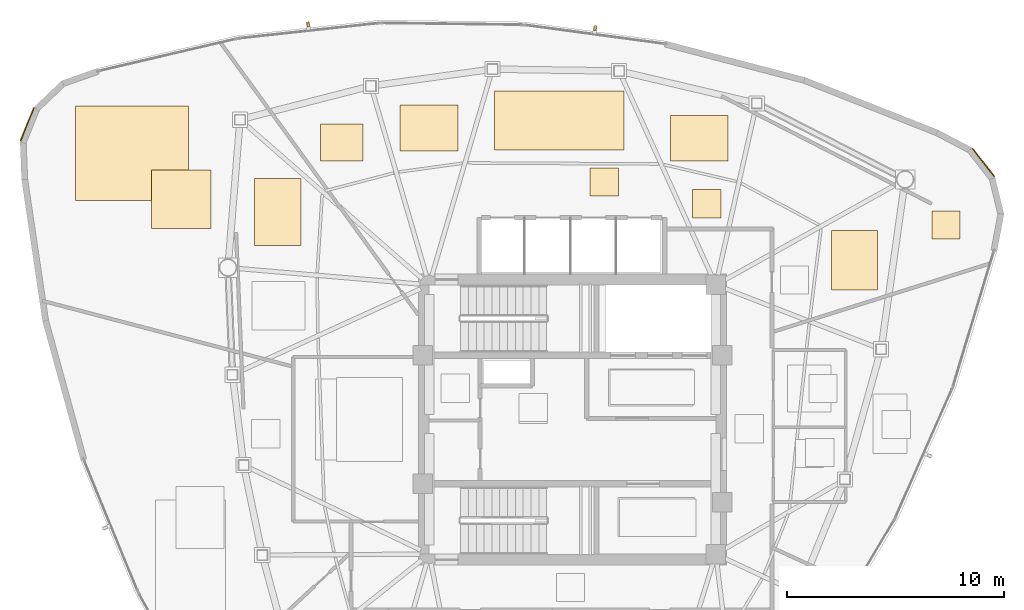
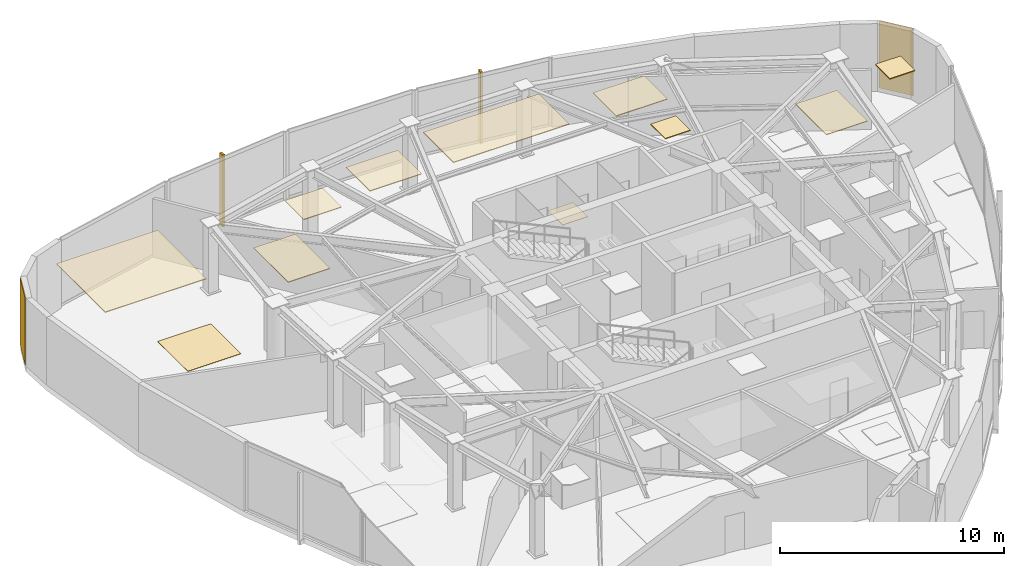
# One storey, part 12 of 12: 13 coverings, 2 shading devices.
"""IFC4 building model written with IfcOpenShell, lengths in metres."""

from ifc_helpers import new_model, si_unit, direction, frame, origin, origin_2d, place, context, subcontext, project, spatial, polyline, rectangle, outline, extrude, source, transform, mapped, material, layer, layer_set, type_object, type_shapes, element, save


model = new_model("IFC4")

# Units and contexts
model_context = context("Model", 3, precision=1e-05, world=origin(), true_north=direction((0.0, 1.0)))
body_context = subcontext(model_context, "Body", "Model", "MODEL_VIEW")
ifc_project = project(units=[si_unit("LENGTHUNIT", "METRE"), si_unit("AREAUNIT", "SQUARE_METRE"), si_unit("VOLUMEUNIT", "CUBIC_METRE"), si_unit("PLANEANGLEUNIT", "RADIAN"), si_unit("MASSUNIT", "GRAM", prefix="KILO")], contexts=[model_context])

# Site, building, storey
site_placement = place(None, origin())
site = spatial("IfcSite", under=ifc_project, at=site_placement, CompositionType="ELEMENT")
building_placement = place(site_placement, origin())
building = spatial("IfcBuilding", under=site, at=building_placement, Name="Tavelor Broadcast Tower", CompositionType="ELEMENT")
storey_placement = place(building_placement, frame((0.0, 0.0, 277.5)))
storey = spatial("IfcBuildingStorey", under=building, at=storey_placement, Name="L66", CompositionType="ELEMENT", Elevation=277.5)

# Coverings
ifc_material_1 = material(Name="Copper-Bronze Anodized Aluminium", Category="aluminium")
ifc_layer_1 = layer(ifc_material_1, 0.050048828125)
ifc_layer_set_1 = layer_set([ifc_layer_1], Name="Copper-Bronze Anodized Aluminium")
covering_type_1 = type_object("IfcCoveringType", Name="Champagne-Bronze Corner Pier Metal Cladding 50 mm", PredefinedType="CLADDING", material=ifc_layer_set_1)
for number, where, z_axis, x_axis, name in (
    (1, (24.88720703125, 58.593017578125, 0.02001953125), (0.0, 0.0, 1.0), (-0.375415571225, -0.92685659564, 0.0), "L66 Champagne-Bronze Corner Cladding 03"),
    (2, (68.92822265625, 56.834228515625, 0.02001953125), (0.0, 0.0, 1.0), (-0.614973571877, 0.788547719477, 0.0), "L66 Champagne-Bronze Corner Cladding 23"),
):
    element("IfcCovering", number, at=place(storey_placement, frame(where, z_axis=z_axis, x_axis=x_axis)), inside=storey, type_object=covering_type_1, Name=name, PredefinedType="CLADDING", context=body_context, shape_type="SweptSolid", body=[
        extrude(rectangle(XDim=1.63818359375, YDim=0.050048828125, at=origin_2d()), origin(), (0.0, 0.0, 1.0), 3.659912109375),
    ])
ifc_material_2 = material(Name="Acoustic Nylon Carpet Tile")
ifc_layer_2 = layer(ifc_material_2, 0.02001953125)
ifc_layer_set_2 = layer_set([ifc_layer_2], Name="Acoustic Nylon Carpet Tile")
covering_type_2 = type_object("IfcCoveringType", Name="Heavy-Duty Acoustic Broadcast Carpet Tile 20 mm", PredefinedType="FLOORING", material=ifc_layer_set_2)
covering_1_placement = place(storey_placement, origin())
element("IfcCovering", 3, at=covering_1_placement, inside=storey, type_object=covering_type_2, Name="L66 Broadcast Floor Finish 0992", PredefinedType="FLOORING", context=body_context, shape_type="SweptSolid", body=[
    extrude(outline(polyline([(30.617919921875, 53.803466796875), (33.360595703125, 53.803466796875), (33.360595703125, 56.49365234375), (30.617919921875, 56.49365234375), (30.617919921875, 53.803466796875)])), origin(), (0.0, 0.0, 1.0), 0.02001953125),
])
covering_2_placement = place(storey_placement, origin())
element("IfcCovering", 4, at=covering_2_placement, inside=storey, type_object=covering_type_2, Name="L66 Broadcast Floor Finish 0993", PredefinedType="FLOORING", context=body_context, shape_type="SweptSolid", body=[
    extrude(outline(polyline([(50.815185546875, 55.29248046875), (52.114990234375, 55.29248046875), (52.114990234375, 56.592529296875), (50.815185546875, 56.592529296875), (50.815185546875, 55.29248046875)])), origin(), (0.0, 0.0, 1.0), 0.02001953125),
])
ifc_material_3 = material(Name="Acoustic Mineral Fibre Tile")
ifc_layer_3 = layer(ifc_material_3, 0.0400390625)
ifc_layer_set_3 = layer_set([ifc_layer_3], Name="Acoustic Mineral Fibre Tile")
covering_type_3 = type_object("IfcCoveringType", Name="Suspended Acoustic Mineral-Fibre Office Ceiling 40 mm", PredefinedType="CEILING", material=ifc_layer_set_3)
covering_3_placement = place(storey_placement, frame((0.0, 0.0, 3.659912109375)))
element("IfcCovering", 5, at=covering_3_placement, inside=storey, type_object=covering_type_3, Name="L66 Suspended Acoustic Ceiling 2555", PredefinedType="CEILING", context=body_context, shape_type="SweptSolid", body=[
    extrude(outline(polyline([(27.10302734375, 55.089599609375), (32.322021484375, 55.089599609375), (32.322021484375, 59.447509765625), (27.10302734375, 59.447509765625), (27.10302734375, 55.089599609375)])), origin(), (0.0, 0.0, 1.0), 0.0400390625),
])
covering_4_placement = place(storey_placement, frame((0.0, 0.0, 3.659912109375)))
element("IfcCovering", 6, at=covering_4_placement, inside=storey, type_object=covering_type_3, Name="L66 Suspended Acoustic Ceiling 2557", PredefinedType="CEILING", context=body_context, shape_type="SweptSolid", body=[
    extrude(outline(polyline([(35.348876953125, 53.025634765625), (37.5078125, 53.025634765625), (37.5078125, 56.111572265625), (35.348876953125, 56.111572265625), (35.348876953125, 53.025634765625)])), origin(), (0.0, 0.0, 1.0), 0.0400390625),
])
covering_5_placement = place(storey_placement, frame((0.0, 0.0, 3.659912109375)))
element("IfcCovering", 7, at=covering_5_placement, inside=storey, type_object=covering_type_3, Name="L66 Suspended Acoustic Ceiling 2558", PredefinedType="CEILING", context=body_context, shape_type="SweptSolid", body=[
    extrude(outline(polyline([(54.51708984375, 56.90771484375), (57.165771484375, 56.90771484375), (57.165771484375, 58.9951171875), (54.51708984375, 58.9951171875), (54.51708984375, 56.90771484375)])), origin(), (0.0, 0.0, 1.0), 0.0400390625),
])
covering_6_placement = place(storey_placement, frame((0.0, 0.0, 3.659912109375)))
element("IfcCovering", 8, at=covering_6_placement, inside=storey, type_object=covering_type_3, Name="L66 Suspended Acoustic Ceiling 2559", PredefinedType="CEILING", context=body_context, shape_type="SweptSolid", body=[
    extrude(outline(polyline([(61.91748046875, 50.954345703125), (64.049072265625, 50.954345703125), (64.049072265625, 53.71630859375), (61.91748046875, 53.71630859375), (61.91748046875, 50.954345703125)])), origin(), (0.0, 0.0, 1.0), 0.0400390625),
])
covering_7_placement = place(storey_placement, frame((0.0, 0.0, 3.659912109375)))
element("IfcCovering", 9, at=covering_7_placement, inside=storey, type_object=covering_type_3, Name="L66 Suspended Acoustic Ceiling 2560", PredefinedType="CEILING", context=body_context, shape_type="SweptSolid", body=[
    extrude(outline(polyline([(66.552001953125, 53.306396484375), (67.85205078125, 53.306396484375), (67.85205078125, 54.6064453125), (66.552001953125, 54.6064453125), (66.552001953125, 53.306396484375)])), origin(), (0.0, 0.0, 1.0), 0.0400390625),
])
covering_8_placement = place(storey_placement, frame((0.0, 0.0, 3.659912109375)))
element("IfcCovering", 10, at=covering_8_placement, inside=storey, type_object=covering_type_3, Name="L66 Suspended Acoustic Ceiling 2562", PredefinedType="CEILING", context=body_context, shape_type="SweptSolid", body=[
    extrude(outline(polyline([(55.532470703125, 54.290283203125), (56.83251953125, 54.290283203125), (56.83251953125, 55.590087890625), (55.532470703125, 55.590087890625), (55.532470703125, 54.290283203125)])), origin(), (0.0, 0.0, 1.0), 0.0400390625),
])
covering_9_placement = place(storey_placement, frame((0.0, 0.0, 3.659912109375)))
element("IfcCovering", 11, at=covering_9_placement, inside=storey, type_object=covering_type_3, Name="L66 Suspended Acoustic Ceiling 2563", PredefinedType="CEILING", context=body_context, shape_type="SweptSolid", body=[
    extrude(outline(polyline([(38.393310546875, 56.9052734375), (40.345703125, 56.9052734375), (40.345703125, 58.60693359375), (38.393310546875, 58.60693359375), (38.393310546875, 56.9052734375)])), origin(), (0.0, 0.0, 1.0), 0.0400390625),
])
covering_10_placement = place(storey_placement, frame((0.0, 0.0, 3.659912109375)))
element("IfcCovering", 12, at=covering_10_placement, inside=storey, type_object=covering_type_3, Name="L66 Suspended Acoustic Ceiling 2564", PredefinedType="CEILING", context=body_context, shape_type="SweptSolid", body=[
    extrude(outline(polyline([(46.41064453125, 57.414794921875), (52.3798828125, 57.414794921875), (52.3798828125, 60.12158203125), (46.41064453125, 60.12158203125), (46.41064453125, 57.414794921875)])), origin(), (0.0, 0.0, 1.0), 0.0400390625),
])
covering_11_placement = place(storey_placement, frame((0.0, 0.0, 3.659912109375)))
element("IfcCovering", 13, at=covering_11_placement, inside=storey, type_object=covering_type_3, Name="L66 Suspended Acoustic Ceiling 2565", PredefinedType="CEILING", context=body_context, shape_type="SweptSolid", body=[
    extrude(outline(polyline([(42.065185546875, 57.3564453125), (44.7392578125, 57.3564453125), (44.7392578125, 59.48046875), (42.065185546875, 59.48046875), (42.065185546875, 57.3564453125)])), origin(), (0.0, 0.0, 1.0), 0.0400390625),
])

# Shading devices
ifc_material_4 = material(Name="Kiln-Fired Glazed Terracotta", Category="masonry")
shading_device_type = type_object("IfcShadingDeviceType", Name="Extruded Terracotta Baguette Sun-Screen 110x240", PredefinedType="JALOUSIE", material=ifc_material_4)
shared_shape = source(origin(), body_context, "Body", "SweptSolid", [
    extrude(rectangle(XDim=0.110107421875, YDim=0.239990234375, at=origin_2d()), origin(), (0.0, 0.0, 1.0), 3.93994140625),
])
type_shapes(shading_device_type, [shared_shape])
for number, where, z_axis, x_axis, name in (
    (14, (51.044677734375, 63.03271484375, -0.260009765625), (0.0, 0.0, 1.0), (-0.991029909341, 0.133640258869, 0.0), "L66 Terracotta Baguette Fin 671"),
    (15, (37.823974609375, 63.199951171875, -0.260009765625), (0.0, 0.0, 1.0), (-0.994094279368, -0.108519877105, 0.0), "L66 Terracotta Baguette Fin 672"),
):
    element("IfcShadingDevice", number, at=place(storey_placement, frame(where, z_axis=z_axis, x_axis=x_axis)), inside=storey, type_object=shading_device_type, Name=name, PredefinedType="JALOUSIE", context=body_context, shape_type="MappedRepresentation", body=[
        mapped(shared_shape, transform((0.0, 0.0, 0.0), scale=1.0)),
    ])

save(model, "model.ifc")
